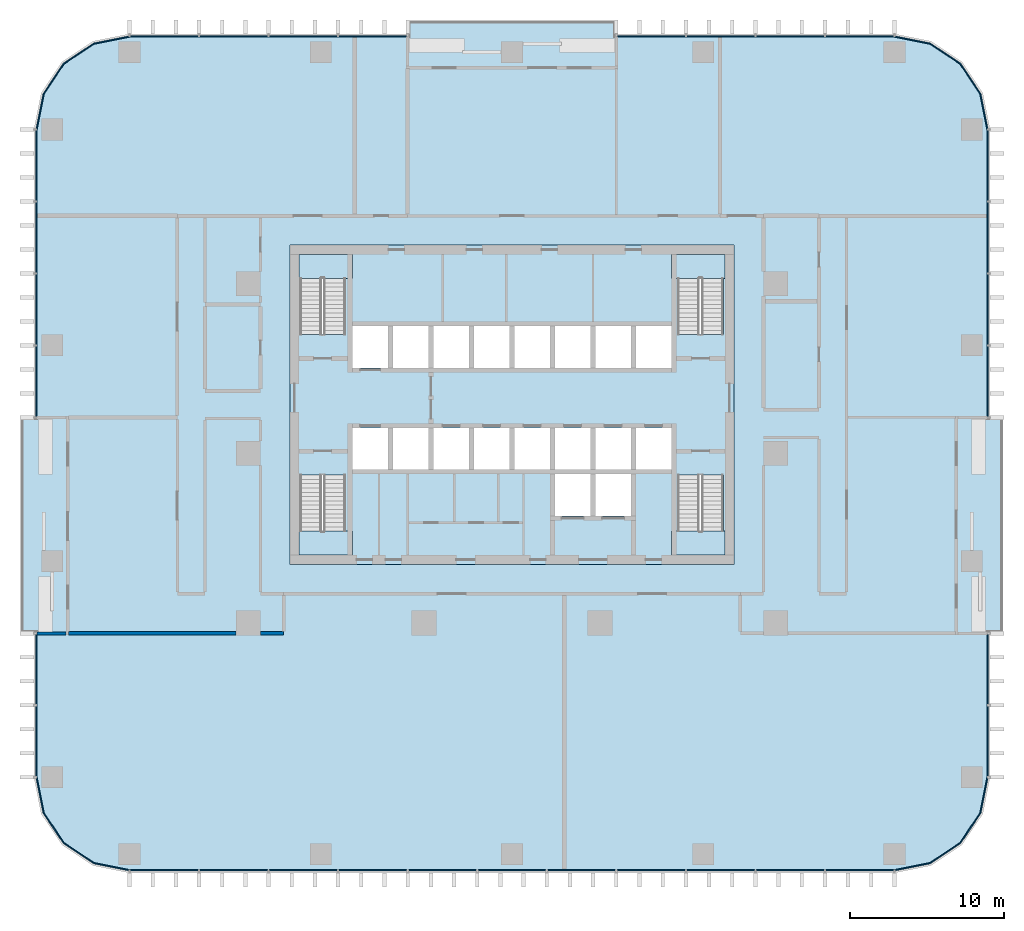
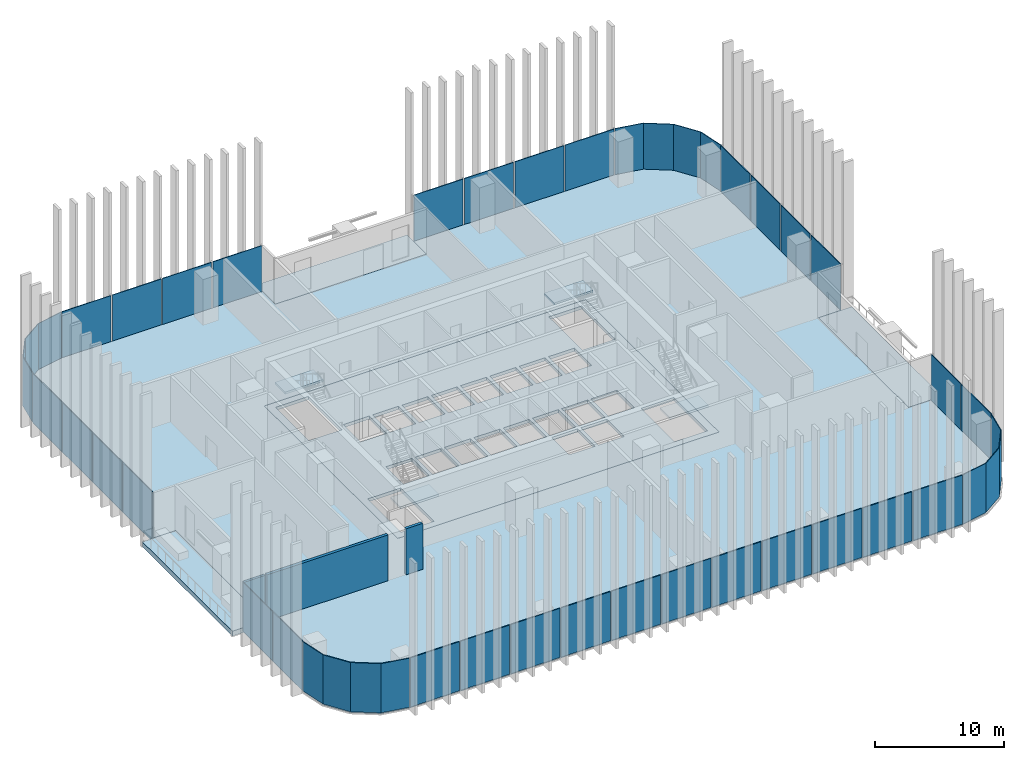
# One storey, part 6 of 17: 35 plates, 9 slabs, 3 walls, 15 elements without a shape of their own.
"""IFC4 building model written with IfcOpenShell, lengths in metres."""

from ifc_helpers import new_model, si_unit, direction, frame, frame_2d, origin, origin_2d, place, context, subcontext, project, spatial, polyline, rectangle, outline, extrude, material, layer, layer_set, type_object, element, aggregate, save


model = new_model("IFC4")

# Units and contexts
model_context = context("Model", 3, precision=1e-05, world=origin(), true_north=direction((0.0, 1.0)))
body_context = subcontext(model_context, "Body", "Model", "MODEL_VIEW")
ifc_project = project(units=[si_unit("LENGTHUNIT", "METRE"), si_unit("AREAUNIT", "SQUARE_METRE"), si_unit("VOLUMEUNIT", "CUBIC_METRE"), si_unit("PLANEANGLEUNIT", "RADIAN"), si_unit("MASSUNIT", "GRAM", prefix="KILO")], contexts=[model_context])

# Site, building, storey
site_placement = place(None, origin())
site = spatial("IfcSite", under=ifc_project, at=site_placement, CompositionType="ELEMENT")
building_placement = place(site_placement, origin())
building = spatial("IfcBuilding", under=site, at=building_placement, Name="Mopane Tessera Tower", CompositionType="ELEMENT")
storey_placement = place(building_placement, frame((0.0, 0.0, 31.0)))
storey = spatial("IfcBuildingStorey", under=building, at=storey_placement, Name="L05", CompositionType="ELEMENT", Elevation=31.0)

# Slab
ifc_material_1 = material(Name="Concrete C40/50", Category="concrete")
ifc_layer_1 = layer(ifc_material_1, 0.300048828125)
ifc_layer_set_1 = layer_set([ifc_layer_1], Name="Concrete C40/50")
slab_type_1 = type_object("IfcSlabType", Name="Core floor slab 300 mm", PredefinedType="FLOOR", material=ifc_layer_set_1)
slab_1_placement = place(storey_placement, frame((0.0, 0.0, -0.300048828125)))
element("IfcSlab", 1, at=slab_1_placement, inside=storey, type_object=slab_type_1, Name="L05 core floor slab", PredefinedType="FLOOR", context=body_context, shape_type="SweptSolid", body=[
    extrude(outline(polyline([(-14.39990234375, -7.199951171875), (14.39990234375, -7.199951171875), (14.39990234375, 13.5), (-14.39990234375, 13.5), (-14.39990234375, -7.199951171875)]), holes=[polyline([(-10.35009765625, -1.050048828125), (-8.02490234375, -1.050048828125), (-8.02490234375, 1.64990234375), (-10.35009765625, 1.64990234375), (-10.35009765625, -1.050048828125)]), polyline([(-7.72509765625, -1.050048828125), (-5.39990234375, -1.050048828125), (-5.39990234375, 1.64990234375), (-7.72509765625, 1.64990234375), (-7.72509765625, -1.050048828125)]), polyline([(-5.10009765625, -1.050048828125), (-2.77490234375, -1.050048828125), (-2.77490234375, 1.64990234375), (-5.10009765625, 1.64990234375), (-5.10009765625, -1.050048828125)]), polyline([(-2.47509765625, -1.050048828125), (-0.14990234375, -1.050048828125), (-0.14990234375, 1.64990234375), (-2.47509765625, 1.64990234375), (-2.47509765625, -1.050048828125)]), polyline([(0.14990234375, -1.050048828125), (2.47509765625, -1.050048828125), (2.47509765625, 1.64990234375), (0.14990234375, 1.64990234375), (0.14990234375, -1.050048828125)]), polyline([(2.77490234375, -1.050048828125), (5.10009765625, -1.050048828125), (5.10009765625, 1.64990234375), (2.77490234375, 1.64990234375), (2.77490234375, -1.050048828125)]), polyline([(5.39990234375, -1.050048828125), (7.72509765625, -1.050048828125), (7.72509765625, 1.64990234375), (5.39990234375, 1.64990234375), (5.39990234375, -1.050048828125)]), polyline([(8.02490234375, -1.050048828125), (10.35009765625, -1.050048828125), (10.35009765625, 1.64990234375), (8.02490234375, 1.64990234375), (8.02490234375, -1.050048828125)]), polyline([(-10.35009765625, 5.550048828125), (-8.02490234375, 5.550048828125), (-8.02490234375, 8.25), (-10.35009765625, 8.25), (-10.35009765625, 5.550048828125)]), polyline([(-7.72509765625, 5.550048828125), (-5.39990234375, 5.550048828125), (-5.39990234375, 8.25), (-7.72509765625, 8.25), (-7.72509765625, 5.550048828125)]), polyline([(-5.10009765625, 5.550048828125), (-2.77490234375, 5.550048828125), (-2.77490234375, 8.25), (-5.10009765625, 8.25), (-5.10009765625, 5.550048828125)]), polyline([(-2.47509765625, 5.550048828125), (-0.14990234375, 5.550048828125), (-0.14990234375, 8.25), (-2.47509765625, 8.25), (-2.47509765625, 5.550048828125)]), polyline([(0.14990234375, 5.550048828125), (2.47509765625, 5.550048828125), (2.47509765625, 8.25), (0.14990234375, 8.25), (0.14990234375, 5.550048828125)]), polyline([(2.77490234375, 5.550048828125), (5.10009765625, 5.550048828125), (5.10009765625, 8.25), (2.77490234375, 8.25), (2.77490234375, 5.550048828125)]), polyline([(5.39990234375, 5.550048828125), (7.72509765625, 5.550048828125), (7.72509765625, 8.25), (5.39990234375, 8.25), (5.39990234375, 5.550048828125)]), polyline([(8.02490234375, 5.550048828125), (10.35009765625, 5.550048828125), (10.35009765625, 8.25), (8.02490234375, 8.25), (8.02490234375, 5.550048828125)]), polyline([(2.77490234375, -4.050048828125), (5.10009765625, -4.050048828125), (5.10009765625, -1.35009765625), (2.77490234375, -1.35009765625), (2.77490234375, -4.050048828125)]), polyline([(5.39990234375, -4.050048828125), (7.72509765625, -4.050048828125), (7.72509765625, -1.35009765625), (5.39990234375, -1.35009765625), (5.39990234375, -4.050048828125)]), polyline([(-13.75, -1.405029296875), (-13.75, -6.60009765625), (-10.800048828125, -6.60009765625), (-10.800048828125, -1.405029296875), (-13.75, -1.405029296875)]), polyline([(-10.800048828125, 7.705078125), (-10.800048828125, 12.89990234375), (-13.75, 12.89990234375), (-13.75, 7.705078125), (-10.800048828125, 7.705078125)]), polyline([(10.75, -1.405029296875), (10.75, -6.60009765625), (13.699951171875, -6.60009765625), (13.699951171875, -1.405029296875), (10.75, -1.405029296875)]), polyline([(13.699951171875, 7.705078125), (13.699951171875, 12.89990234375), (10.75, 12.89990234375), (10.75, 7.705078125), (13.699951171875, 7.705078125)])]), origin(), (0.0, 0.0, 1.0), 0.300048828125),
])

# Stair, slab
ifc_material_2 = material(Name="Concrete C50/60", Category="concrete")
stair_type = type_object("IfcStairType", Name="Escape stair 1400 mm, riser 171 mm", PredefinedType="HALF_TURN_STAIR", material=ifc_material_2)
stair_1_placement = place(storey_placement, origin())
stair_1 = element("IfcStair", 2, at=stair_1_placement, inside=storey, type_object=stair_type, Name="L05 Escape stair south-west", PredefinedType="HALF_TURN_STAIR")
ifc_material_3 = material(Name="Concrete C50/60", Category="concrete")
ifc_layer_2 = layer(ifc_material_3, 0.199951171875)
ifc_layer_set_2 = layer_set([ifc_layer_2], Name="Concrete C50/60")
slab_type_2 = type_object("IfcSlabType", Name="Escape stair landing 200 mm", PredefinedType="LANDING", material=ifc_layer_set_2)
slab_2_placement = place(storey_placement, frame((0.0, 0.0, 2.199951171875)))
slab_2 = element("IfcSlab", 3, at=slab_2_placement, type_object=slab_type_2, Name="ST1 landing 1", PredefinedType="LANDING", context=body_context, shape_type="SweptSolid", body=[
    extrude(outline(polyline([(-13.800048828125, -5.0400390625), (-13.800048828125, -6.60009765625), (-10.35009765625, -6.60009765625), (-10.35009765625, -5.0400390625), (-13.800048828125, -5.0400390625)])), origin(), (0.0, 0.0, 1.0), 0.199951171875),
])
aggregate(stair_1, [slab_2])

stair_2_placement = place(storey_placement, origin())
stair_2 = element("IfcStair", 4, at=stair_2_placement, inside=storey, type_object=stair_type, Name="L05 Escape stair north-west", PredefinedType="HALF_TURN_STAIR")
slab_3_placement = place(storey_placement, frame((0.0, 0.0, 2.199951171875)))
slab_3 = element("IfcSlab", 5, at=slab_3_placement, type_object=slab_type_2, Name="ST2 landing 1", PredefinedType="LANDING", context=body_context, shape_type="SweptSolid", body=[
    extrude(outline(polyline([(-10.35009765625, 11.340087890625), (-10.35009765625, 12.89990234375), (-13.800048828125, 12.89990234375), (-13.800048828125, 11.340087890625), (-10.35009765625, 11.340087890625)])), origin(), (0.0, 0.0, 1.0), 0.199951171875),
])
aggregate(stair_2, [slab_3])

stair_3_placement = place(storey_placement, origin())
stair_3 = element("IfcStair", 6, at=stair_3_placement, inside=storey, type_object=stair_type, Name="L05 Escape stair south-east", PredefinedType="HALF_TURN_STAIR")
slab_4_placement = place(storey_placement, frame((0.0, 0.0, 2.199951171875)))
slab_4 = element("IfcSlab", 7, at=slab_4_placement, type_object=slab_type_2, Name="ST3 landing 1", PredefinedType="LANDING", context=body_context, shape_type="SweptSolid", body=[
    extrude(outline(polyline([(10.35009765625, -5.0400390625), (10.35009765625, -6.60009765625), (13.800048828125, -6.60009765625), (13.800048828125, -5.0400390625), (10.35009765625, -5.0400390625)])), origin(), (0.0, 0.0, 1.0), 0.199951171875),
])
aggregate(stair_3, [slab_4])

stair_4_placement = place(storey_placement, origin())
stair_4 = element("IfcStair", 8, at=stair_4_placement, inside=storey, type_object=stair_type, Name="L05 Escape stair north-east", PredefinedType="HALF_TURN_STAIR")
slab_5_placement = place(storey_placement, frame((0.0, 0.0, 2.199951171875)))
slab_5 = element("IfcSlab", 9, at=slab_5_placement, type_object=slab_type_2, Name="ST4 landing 1", PredefinedType="LANDING", context=body_context, shape_type="SweptSolid", body=[
    extrude(outline(polyline([(13.800048828125, 11.340087890625), (13.800048828125, 12.89990234375), (10.35009765625, 12.89990234375), (10.35009765625, 11.340087890625), (13.800048828125, 11.340087890625)])), origin(), (0.0, 0.0, 1.0), 0.199951171875),
])
aggregate(stair_4, [slab_5])

# Curtain wall, plates
ifc_material_4 = material(Name="Aluminium frame", Category="aluminium")
curtain_wall_type = type_object("IfcCurtainWallType", Name="Lower tower unitised wall", PredefinedType="NOTDEFINED", material=ifc_material_4)
curtain_wall_1_placement = place(storey_placement, origin())
curtain_wall_1 = element("IfcCurtainWall", 10, at=curtain_wall_1_placement, inside=storey, type_object=curtain_wall_type, Name="e:cw:L05:S:0", PredefinedType="NOTDEFINED")
ifc_material_5 = material(Name="Clear laminated glass", Category="glass")
ifc_layer_3 = layer(ifc_material_5, 0.070068359375)
ifc_layer_set_3 = layer_set([ifc_layer_3], Name="Clear laminated glass")
plate_type = type_object("IfcPlateType", Name="Laminated glazed unit 70", PredefinedType="CURTAIN_PANEL", material=ifc_layer_set_3)
plate_1_placement = place(storey_placement, frame((-22.54541015625, -27.034912109375, -0.31005859375), z_axis=(0.0, 0.0, 1.0), x_axis=(1.0, 0.0, 0.0)))
plate_1 = element("IfcPlate", 11, at=plate_1_placement, type_object=plate_type, Name="e:cw:L05:S:0:pn0", PredefinedType="CURTAIN_PANEL", context=body_context, shape_type="SweptSolid", body=[
    extrude(rectangle(XDim=4.399169921875, YDim=0.070068359375, at=origin_2d()), origin(), (0.0, 0.0, 1.0), 4.659912109375),
])
plate_2_placement = place(storey_placement, frame((-18.036376953125, -27.034912109375, -0.31005859375), z_axis=(0.0, 0.0, 1.0), x_axis=(1.0, 0.0, 0.0)))
plate_2 = element("IfcPlate", 12, at=plate_2_placement, type_object=plate_type, Name="e:cw:L05:S:0:pn1", PredefinedType="CURTAIN_PANEL", context=body_context, shape_type="SweptSolid", body=[
    extrude(rectangle(XDim=4.399169921875, YDim=0.070068359375, at=origin_2d()), origin(), (0.0, 0.0, 1.0), 4.659912109375),
])
plate_3_placement = place(storey_placement, frame((-13.52734375, -27.034912109375, -0.31005859375), z_axis=(0.0, 0.0, 1.0), x_axis=(1.0, 0.0, 0.0)))
plate_3 = element("IfcPlate", 13, at=plate_3_placement, type_object=plate_type, Name="e:cw:L05:S:0:pn2", PredefinedType="CURTAIN_PANEL", context=body_context, shape_type="SweptSolid", body=[
    extrude(rectangle(XDim=4.399169921875, YDim=0.070068359375, at=origin_2d()), origin(), (0.0, 0.0, 1.0), 4.659912109375),
])
plate_4_placement = place(storey_placement, frame((-9.01806640625, -27.034912109375, -0.31005859375), z_axis=(0.0, 0.0, 1.0), x_axis=(1.0, 0.0, 0.0)))
plate_4 = element("IfcPlate", 14, at=plate_4_placement, type_object=plate_type, Name="e:cw:L05:S:0:pn3", PredefinedType="CURTAIN_PANEL", context=body_context, shape_type="SweptSolid", body=[
    extrude(rectangle(XDim=4.399169921875, YDim=0.070068359375, at=origin_2d()), origin(), (0.0, 0.0, 1.0), 4.659912109375),
])
plate_5_placement = place(storey_placement, frame((-4.509033203125, -27.034912109375, -0.31005859375), z_axis=(0.0, 0.0, 1.0), x_axis=(1.0, 0.0, 0.0)))
plate_5 = element("IfcPlate", 15, at=plate_5_placement, type_object=plate_type, Name="e:cw:L05:S:0:pn4", PredefinedType="CURTAIN_PANEL", context=body_context, shape_type="SweptSolid", body=[
    extrude(rectangle(XDim=4.399169921875, YDim=0.070068359375, at=origin_2d()), origin(), (0.0, 0.0, 1.0), 4.659912109375),
])
plate_6_placement = place(storey_placement, frame((0.0, -27.034912109375, -0.31005859375), z_axis=(0.0, 0.0, 1.0), x_axis=(1.0, 0.0, 0.0)))
plate_6 = element("IfcPlate", 16, at=plate_6_placement, type_object=plate_type, Name="e:cw:L05:S:0:pn5", PredefinedType="CURTAIN_PANEL", context=body_context, shape_type="SweptSolid", body=[
    extrude(rectangle(XDim=4.399169921875, YDim=0.070068359375, at=origin_2d()), origin(), (0.0, 0.0, 1.0), 4.659912109375),
])
plate_7_placement = place(storey_placement, frame((4.509033203125, -27.034912109375, -0.31005859375), z_axis=(0.0, 0.0, 1.0), x_axis=(1.0, 0.0, 0.0)))
plate_7 = element("IfcPlate", 17, at=plate_7_placement, type_object=plate_type, Name="e:cw:L05:S:0:pn6", PredefinedType="CURTAIN_PANEL", context=body_context, shape_type="SweptSolid", body=[
    extrude(rectangle(XDim=4.399169921875, YDim=0.070068359375, at=origin_2d()), origin(), (0.0, 0.0, 1.0), 4.659912109375),
])
plate_8_placement = place(storey_placement, frame((9.01806640625, -27.034912109375, -0.31005859375), z_axis=(0.0, 0.0, 1.0), x_axis=(1.0, 0.0, 0.0)))
plate_8 = element("IfcPlate", 18, at=plate_8_placement, type_object=plate_type, Name="e:cw:L05:S:0:pn7", PredefinedType="CURTAIN_PANEL", context=body_context, shape_type="SweptSolid", body=[
    extrude(rectangle(XDim=4.399169921875, YDim=0.070068359375, at=origin_2d()), origin(), (0.0, 0.0, 1.0), 4.659912109375),
])
plate_9_placement = place(storey_placement, frame((13.52734375, -27.034912109375, -0.31005859375), z_axis=(0.0, 0.0, 1.0), x_axis=(1.0, 0.0, 0.0)))
plate_9 = element("IfcPlate", 19, at=plate_9_placement, type_object=plate_type, Name="e:cw:L05:S:0:pn8", PredefinedType="CURTAIN_PANEL", context=body_context, shape_type="SweptSolid", body=[
    extrude(rectangle(XDim=4.399169921875, YDim=0.070068359375, at=origin_2d()), origin(), (0.0, 0.0, 1.0), 4.659912109375),
])
plate_10_placement = place(storey_placement, frame((18.036376953125, -27.034912109375, -0.31005859375), z_axis=(0.0, 0.0, 1.0), x_axis=(1.0, 0.0, 0.0)))
plate_10 = element("IfcPlate", 20, at=plate_10_placement, type_object=plate_type, Name="e:cw:L05:S:0:pn9", PredefinedType="CURTAIN_PANEL", context=body_context, shape_type="SweptSolid", body=[
    extrude(rectangle(XDim=4.399169921875, YDim=0.070068359375, at=origin_2d()), origin(), (0.0, 0.0, 1.0), 4.659912109375),
])
plate_11_placement = place(storey_placement, frame((22.54541015625, -27.034912109375, -0.31005859375), z_axis=(0.0, 0.0, 1.0), x_axis=(1.0, 0.0, 0.0)))
plate_11 = element("IfcPlate", 21, at=plate_11_placement, type_object=plate_type, Name="e:cw:L05:S:0:pn10", PredefinedType="CURTAIN_PANEL", context=body_context, shape_type="SweptSolid", body=[
    extrude(rectangle(XDim=4.399169921875, YDim=0.070068359375, at=origin_2d()), origin(), (0.0, 0.0, 1.0), 4.659912109375),
])
aggregate(curtain_wall_1, [plate_1, plate_2, plate_3, plate_4, plate_5, plate_6, plate_7, plate_8, plate_9, plate_10, plate_11])

# Curtain wall, plate
curtain_wall_2_placement = place(storey_placement, origin())
curtain_wall_2 = element("IfcCurtainWall", 22, at=curtain_wall_2_placement, inside=storey, type_object=curtain_wall_type, Name="e:cw:L05:CS", PredefinedType="NOTDEFINED")
plate_12_placement = place(storey_placement, frame((0.0, 0.0, -0.31005859375)))
plate_12 = element("IfcPlate", 23, at=plate_12_placement, type_object=plate_type, Name="e:cw:L05:CS:pn", PredefinedType="CURTAIN_PANEL", context=body_context, shape_type="SweptSolid", body=[
    extrude(outline(polyline([(24.800048828125, -27.0), (27.09619140625, -26.543212890625), (29.042724609375, -25.24267578125), (30.34326171875, -23.296142578125), (30.800048828125, -21.0), (30.8701171875, -21.0), (30.407958984375, -23.322998046875), (29.092041015625, -25.292236328125), (27.122802734375, -26.60791015625), (24.800048828125, -27.070068359375), (24.800048828125, -27.0)])), origin(), (0.0, 0.0, 1.0), 4.66015625),
])
aggregate(curtain_wall_2, [plate_12])

# Curtain wall, plates
curtain_wall_3_placement = place(storey_placement, origin())
curtain_wall_3 = element("IfcCurtainWall", 24, at=curtain_wall_3_placement, inside=storey, type_object=curtain_wall_type, Name="e:cw:L05:E:0", PredefinedType="NOTDEFINED")
plate_13_placement = place(storey_placement, frame((30.8349609375, -18.666748046875, -0.31005859375), z_axis=(0.0, 0.0, 1.0), x_axis=(0.0, 1.0, 0.0)))
plate_13 = element("IfcPlate", 25, at=plate_13_placement, type_object=plate_type, Name="e:cw:L05:E:0:pn0", PredefinedType="CURTAIN_PANEL", context=body_context, shape_type="SweptSolid", body=[
    extrude(rectangle(XDim=4.556640625, YDim=0.070068359375, at=origin_2d()), origin(), (0.0, 0.0, 1.0), 4.659912109375),
])
plate_14_placement = place(storey_placement, frame((30.8349609375, -14.0, -0.31005859375), z_axis=(0.0, 0.0, 1.0), x_axis=(0.0, 1.0, 0.0)))
plate_14 = element("IfcPlate", 26, at=plate_14_placement, type_object=plate_type, Name="e:cw:L05:E:0:pn1", PredefinedType="CURTAIN_PANEL", context=body_context, shape_type="SweptSolid", body=[
    extrude(rectangle(XDim=4.556640625, YDim=0.070068359375, at=origin_2d()), origin(), (0.0, 0.0, 1.0), 4.659912109375),
])
aggregate(curtain_wall_3, [plate_13, plate_14])

curtain_wall_4_placement = place(storey_placement, origin())
curtain_wall_4 = element("IfcCurtainWall", 27, at=curtain_wall_4_placement, inside=storey, type_object=curtain_wall_type, Name="e:cw:L05:E:5", PredefinedType="NOTDEFINED")
plate_15_placement = place(storey_placement, frame((30.8349609375, 4.666748046875, -0.31005859375), z_axis=(0.0, 0.0, 1.0), x_axis=(0.0, 1.0, 0.0)))
plate_15 = element("IfcPlate", 28, at=plate_15_placement, type_object=plate_type, Name="e:cw:L05:E:5:pn5", PredefinedType="CURTAIN_PANEL", context=body_context, shape_type="SweptSolid", body=[
    extrude(rectangle(XDim=4.556640625, YDim=0.070068359375, at=origin_2d()), origin(), (0.0, 0.0, 1.0), 4.659912109375),
])
plate_16_placement = place(storey_placement, frame((30.8349609375, 9.333251953125, -0.31005859375), z_axis=(0.0, 0.0, 1.0), x_axis=(0.0, 1.0, 0.0)))
plate_16 = element("IfcPlate", 29, at=plate_16_placement, type_object=plate_type, Name="e:cw:L05:E:5:pn6", PredefinedType="CURTAIN_PANEL", context=body_context, shape_type="SweptSolid", body=[
    extrude(rectangle(XDim=4.556640625, YDim=0.070068359375, at=origin_2d()), origin(), (0.0, 0.0, 1.0), 4.659912109375),
])
plate_17_placement = place(storey_placement, frame((30.8349609375, 14.0, -0.31005859375), z_axis=(0.0, 0.0, 1.0), x_axis=(0.0, 1.0, 0.0)))
plate_17 = element("IfcPlate", 30, at=plate_17_placement, type_object=plate_type, Name="e:cw:L05:E:5:pn7", PredefinedType="CURTAIN_PANEL", context=body_context, shape_type="SweptSolid", body=[
    extrude(rectangle(XDim=4.556640625, YDim=0.070068359375, at=origin_2d()), origin(), (0.0, 0.0, 1.0), 4.659912109375),
])
plate_18_placement = place(storey_placement, frame((30.8349609375, 18.666748046875, -0.31005859375), z_axis=(0.0, 0.0, 1.0), x_axis=(0.0, 1.0, 0.0)))
plate_18 = element("IfcPlate", 31, at=plate_18_placement, type_object=plate_type, Name="e:cw:L05:E:5:pn8", PredefinedType="CURTAIN_PANEL", context=body_context, shape_type="SweptSolid", body=[
    extrude(rectangle(XDim=4.556640625, YDim=0.070068359375, at=origin_2d()), origin(), (0.0, 0.0, 1.0), 4.659912109375),
])
aggregate(curtain_wall_4, [plate_15, plate_16, plate_17, plate_18])

# Curtain wall, plate
curtain_wall_5_placement = place(storey_placement, origin())
curtain_wall_5 = element("IfcCurtainWall", 32, at=curtain_wall_5_placement, inside=storey, type_object=curtain_wall_type, Name="e:cw:L05:CE", PredefinedType="NOTDEFINED")
plate_19_placement = place(storey_placement, frame((0.0, 0.0, -0.31005859375)))
plate_19 = element("IfcPlate", 33, at=plate_19_placement, type_object=plate_type, Name="e:cw:L05:CE:pn", PredefinedType="CURTAIN_PANEL", context=body_context, shape_type="SweptSolid", body=[
    extrude(outline(polyline([(30.800048828125, 21.0), (30.34326171875, 23.296142578125), (29.042724609375, 25.24267578125), (27.09619140625, 26.543212890625), (24.800048828125, 27.0), (24.800048828125, 27.070068359375), (27.122802734375, 26.60791015625), (29.092041015625, 25.292236328125), (30.407958984375, 23.322998046875), (30.8701171875, 21.0), (30.800048828125, 21.0)])), origin(), (0.0, 0.0, 1.0), 4.66015625),
])
aggregate(curtain_wall_5, [plate_19])

# Curtain wall, plates
curtain_wall_6_placement = place(storey_placement, origin())
curtain_wall_6 = element("IfcCurtainWall", 34, at=curtain_wall_6_placement, inside=storey, type_object=curtain_wall_type, Name="e:cw:L05:N:0", PredefinedType="NOTDEFINED")
plate_20_placement = place(storey_placement, frame((22.54541015625, 27.034912109375, -0.31005859375), z_axis=(0.0, 0.0, 1.0), x_axis=(-1.0, 0.0, 0.0)))
plate_20 = element("IfcPlate", 35, at=plate_20_placement, type_object=plate_type, Name="e:cw:L05:N:0:pn0", PredefinedType="CURTAIN_PANEL", context=body_context, shape_type="SweptSolid", body=[
    extrude(rectangle(XDim=4.399169921875, YDim=0.070068359375, at=origin_2d()), origin(), (0.0, 0.0, 1.0), 4.659912109375),
])
plate_21_placement = place(storey_placement, frame((18.036376953125, 27.034912109375, -0.31005859375), z_axis=(0.0, 0.0, 1.0), x_axis=(-1.0, 0.0, 0.0)))
plate_21 = element("IfcPlate", 36, at=plate_21_placement, type_object=plate_type, Name="e:cw:L05:N:0:pn1", PredefinedType="CURTAIN_PANEL", context=body_context, shape_type="SweptSolid", body=[
    extrude(rectangle(XDim=4.399169921875, YDim=0.070068359375, at=origin_2d()), origin(), (0.0, 0.0, 1.0), 4.659912109375),
])
plate_22_placement = place(storey_placement, frame((13.52734375, 27.034912109375, -0.31005859375), z_axis=(0.0, 0.0, 1.0), x_axis=(-1.0, 0.0, 0.0)))
plate_22 = element("IfcPlate", 37, at=plate_22_placement, type_object=plate_type, Name="e:cw:L05:N:0:pn2", PredefinedType="CURTAIN_PANEL", context=body_context, shape_type="SweptSolid", body=[
    extrude(rectangle(XDim=4.399169921875, YDim=0.070068359375, at=origin_2d()), origin(), (0.0, 0.0, 1.0), 4.659912109375),
])
plate_23_placement = place(storey_placement, frame((9.01806640625, 27.034912109375, -0.31005859375), z_axis=(0.0, 0.0, 1.0), x_axis=(-1.0, 0.0, 0.0)))
plate_23 = element("IfcPlate", 38, at=plate_23_placement, type_object=plate_type, Name="e:cw:L05:N:0:pn3", PredefinedType="CURTAIN_PANEL", context=body_context, shape_type="SweptSolid", body=[
    extrude(rectangle(XDim=4.399169921875, YDim=0.070068359375, at=origin_2d()), origin(), (0.0, 0.0, 1.0), 4.659912109375),
])
aggregate(curtain_wall_6, [plate_20, plate_21, plate_22, plate_23])

curtain_wall_7_placement = place(storey_placement, origin())
curtain_wall_7 = element("IfcCurtainWall", 39, at=curtain_wall_7_placement, inside=storey, type_object=curtain_wall_type, Name="e:cw:L05:N:7", PredefinedType="NOTDEFINED")
plate_24_placement = place(storey_placement, frame((-9.01806640625, 27.034912109375, -0.31005859375), z_axis=(0.0, 0.0, 1.0), x_axis=(-1.0, 0.0, 0.0)))
plate_24 = element("IfcPlate", 40, at=plate_24_placement, type_object=plate_type, Name="e:cw:L05:N:7:pn7", PredefinedType="CURTAIN_PANEL", context=body_context, shape_type="SweptSolid", body=[
    extrude(rectangle(XDim=4.399169921875, YDim=0.070068359375, at=origin_2d()), origin(), (0.0, 0.0, 1.0), 4.659912109375),
])
plate_25_placement = place(storey_placement, frame((-13.52734375, 27.034912109375, -0.31005859375), z_axis=(0.0, 0.0, 1.0), x_axis=(-1.0, 0.0, 0.0)))
plate_25 = element("IfcPlate", 41, at=plate_25_placement, type_object=plate_type, Name="e:cw:L05:N:7:pn8", PredefinedType="CURTAIN_PANEL", context=body_context, shape_type="SweptSolid", body=[
    extrude(rectangle(XDim=4.399169921875, YDim=0.070068359375, at=origin_2d()), origin(), (0.0, 0.0, 1.0), 4.659912109375),
])
plate_26_placement = place(storey_placement, frame((-18.036376953125, 27.034912109375, -0.31005859375), z_axis=(0.0, 0.0, 1.0), x_axis=(-1.0, 0.0, 0.0)))
plate_26 = element("IfcPlate", 42, at=plate_26_placement, type_object=plate_type, Name="e:cw:L05:N:7:pn9", PredefinedType="CURTAIN_PANEL", context=body_context, shape_type="SweptSolid", body=[
    extrude(rectangle(XDim=4.399169921875, YDim=0.070068359375, at=origin_2d()), origin(), (0.0, 0.0, 1.0), 4.659912109375),
])
plate_27_placement = place(storey_placement, frame((-22.54541015625, 27.034912109375, -0.31005859375), z_axis=(0.0, 0.0, 1.0), x_axis=(-1.0, 0.0, 0.0)))
plate_27 = element("IfcPlate", 43, at=plate_27_placement, type_object=plate_type, Name="e:cw:L05:N:7:pn10", PredefinedType="CURTAIN_PANEL", context=body_context, shape_type="SweptSolid", body=[
    extrude(rectangle(XDim=4.399169921875, YDim=0.070068359375, at=origin_2d()), origin(), (0.0, 0.0, 1.0), 4.659912109375),
])
aggregate(curtain_wall_7, [plate_24, plate_25, plate_26, plate_27])

# Curtain wall, plate
curtain_wall_8_placement = place(storey_placement, origin())
curtain_wall_8 = element("IfcCurtainWall", 44, at=curtain_wall_8_placement, inside=storey, type_object=curtain_wall_type, Name="e:cw:L05:CN", PredefinedType="NOTDEFINED")
plate_28_placement = place(storey_placement, frame((0.0, 0.0, -0.31005859375)))
plate_28 = element("IfcPlate", 45, at=plate_28_placement, type_object=plate_type, Name="e:cw:L05:CN:pn", PredefinedType="CURTAIN_PANEL", context=body_context, shape_type="SweptSolid", body=[
    extrude(outline(polyline([(-24.800048828125, 27.0), (-27.09619140625, 26.543212890625), (-29.042724609375, 25.24267578125), (-30.34326171875, 23.296142578125), (-30.800048828125, 21.0), (-30.8701171875, 21.0), (-30.407958984375, 23.322998046875), (-29.092041015625, 25.292236328125), (-27.122802734375, 26.60791015625), (-24.800048828125, 27.070068359375), (-24.800048828125, 27.0)])), origin(), (0.0, 0.0, 1.0), 4.66015625),
])
aggregate(curtain_wall_8, [plate_28])

# Curtain wall, plates
curtain_wall_9_placement = place(storey_placement, origin())
curtain_wall_9 = element("IfcCurtainWall", 46, at=curtain_wall_9_placement, inside=storey, type_object=curtain_wall_type, Name="e:cw:L05:W:0", PredefinedType="NOTDEFINED")
plate_29_placement = place(storey_placement, frame((-30.8349609375, 18.666748046875, -0.31005859375), z_axis=(0.0, 0.0, 1.0), x_axis=(0.0, -1.0, 0.0)))
plate_29 = element("IfcPlate", 47, at=plate_29_placement, type_object=plate_type, Name="e:cw:L05:W:0:pn0", PredefinedType="CURTAIN_PANEL", context=body_context, shape_type="SweptSolid", body=[
    extrude(rectangle(XDim=4.556640625, YDim=0.070068359375, at=origin_2d()), origin(), (0.0, 0.0, 1.0), 4.659912109375),
])
plate_30_placement = place(storey_placement, frame((-30.8349609375, 14.0, -0.31005859375), z_axis=(0.0, 0.0, 1.0), x_axis=(0.0, -1.0, 0.0)))
plate_30 = element("IfcPlate", 48, at=plate_30_placement, type_object=plate_type, Name="e:cw:L05:W:0:pn1", PredefinedType="CURTAIN_PANEL", context=body_context, shape_type="SweptSolid", body=[
    extrude(rectangle(XDim=4.556640625, YDim=0.070068359375, at=origin_2d()), origin(), (0.0, 0.0, 1.0), 4.659912109375),
])
plate_31_placement = place(storey_placement, frame((-30.8349609375, 9.333251953125, -0.31005859375), z_axis=(0.0, 0.0, 1.0), x_axis=(0.0, -1.0, 0.0)))
plate_31 = element("IfcPlate", 49, at=plate_31_placement, type_object=plate_type, Name="e:cw:L05:W:0:pn2", PredefinedType="CURTAIN_PANEL", context=body_context, shape_type="SweptSolid", body=[
    extrude(rectangle(XDim=4.556640625, YDim=0.070068359375, at=origin_2d()), origin(), (0.0, 0.0, 1.0), 4.659912109375),
])
plate_32_placement = place(storey_placement, frame((-30.8349609375, 4.666748046875, -0.31005859375), z_axis=(0.0, 0.0, 1.0), x_axis=(0.0, -1.0, 0.0)))
plate_32 = element("IfcPlate", 50, at=plate_32_placement, type_object=plate_type, Name="e:cw:L05:W:0:pn3", PredefinedType="CURTAIN_PANEL", context=body_context, shape_type="SweptSolid", body=[
    extrude(rectangle(XDim=4.556640625, YDim=0.070068359375, at=origin_2d()), origin(), (0.0, 0.0, 1.0), 4.659912109375),
])
aggregate(curtain_wall_9, [plate_29, plate_30, plate_31, plate_32])

curtain_wall_10_placement = place(storey_placement, origin())
curtain_wall_10 = element("IfcCurtainWall", 51, at=curtain_wall_10_placement, inside=storey, type_object=curtain_wall_type, Name="e:cw:L05:W:7", PredefinedType="NOTDEFINED")
plate_33_placement = place(storey_placement, frame((-30.8349609375, -14.0, -0.31005859375), z_axis=(0.0, 0.0, 1.0), x_axis=(0.0, -1.0, 0.0)))
plate_33 = element("IfcPlate", 52, at=plate_33_placement, type_object=plate_type, Name="e:cw:L05:W:7:pn7", PredefinedType="CURTAIN_PANEL", context=body_context, shape_type="SweptSolid", body=[
    extrude(rectangle(XDim=4.556640625, YDim=0.070068359375, at=origin_2d()), origin(), (0.0, 0.0, 1.0), 4.659912109375),
])
plate_34_placement = place(storey_placement, frame((-30.8349609375, -18.666748046875, -0.31005859375), z_axis=(0.0, 0.0, 1.0), x_axis=(0.0, -1.0, 0.0)))
plate_34 = element("IfcPlate", 53, at=plate_34_placement, type_object=plate_type, Name="e:cw:L05:W:7:pn8", PredefinedType="CURTAIN_PANEL", context=body_context, shape_type="SweptSolid", body=[
    extrude(rectangle(XDim=4.556640625, YDim=0.070068359375, at=origin_2d()), origin(), (0.0, 0.0, 1.0), 4.659912109375),
])
aggregate(curtain_wall_10, [plate_33, plate_34])

# Curtain wall, plate
curtain_wall_11_placement = place(storey_placement, origin())
curtain_wall_11 = element("IfcCurtainWall", 54, at=curtain_wall_11_placement, inside=storey, type_object=curtain_wall_type, Name="e:cw:L05:CW", PredefinedType="NOTDEFINED")
plate_35_placement = place(storey_placement, frame((0.0, 0.0, -0.31005859375)))
plate_35 = element("IfcPlate", 55, at=plate_35_placement, type_object=plate_type, Name="e:cw:L05:CW:pn", PredefinedType="CURTAIN_PANEL", context=body_context, shape_type="SweptSolid", body=[
    extrude(outline(polyline([(-30.800048828125, -21.0), (-30.34326171875, -23.296142578125), (-29.042724609375, -25.24267578125), (-27.09619140625, -26.543212890625), (-24.800048828125, -27.0), (-24.800048828125, -27.070068359375), (-27.122802734375, -26.60791015625), (-29.092041015625, -25.292236328125), (-30.407958984375, -23.322998046875), (-30.8701171875, -21.0), (-30.800048828125, -21.0)])), origin(), (0.0, 0.0, 1.0), 4.66015625),
])
aggregate(curtain_wall_11, [plate_35])

# Slabs
ifc_material_6 = material(Name="Concrete C40/50", Category="concrete")
ifc_layer_4 = layer(ifc_material_6, 0.449951171875)
ifc_layer_set_4 = layer_set([ifc_layer_4], Name="Concrete C40/50")
slab_type_3 = type_object("IfcSlabType", Name="Planted terrace slab 450 mm", PredefinedType="FLOOR", material=ifc_layer_set_4)
slab_6_placement = place(storey_placement, frame((0.0, 0.0, -0.449951171875)))
element("IfcSlab", 56, at=slab_6_placement, inside=storey, type_object=slab_type_3, Name="Terrace slab N1 L05", PredefinedType="FLOOR", context=body_context, shape_type="SweptSolid", body=[
    extrude(outline(polyline([(31.800048828125, 2.333251953125), (28.800048828125, 2.333251953125), (28.800048828125, -11.666748046875), (31.800048828125, -11.666748046875), (31.800048828125, 2.333251953125)])), origin(), (0.0, 0.0, 1.0), 0.449951171875),
])
slab_7_placement = place(storey_placement, frame((0.0, 0.0, -0.449951171875)))
element("IfcSlab", 57, at=slab_7_placement, inside=storey, type_object=slab_type_3, Name="Terrace slab N2 L05", PredefinedType="FLOOR", context=body_context, shape_type="SweptSolid", body=[
    extrude(outline(polyline([(-6.763671875, 28.0), (-6.763671875, 25.0), (6.763671875, 25.0), (6.763671875, 28.0), (-6.763671875, 28.0)])), origin(), (0.0, 0.0, 1.0), 0.449951171875),
])
slab_8_placement = place(storey_placement, frame((0.0, 0.0, -0.449951171875)))
element("IfcSlab", 58, at=slab_8_placement, inside=storey, type_object=slab_type_3, Name="Terrace slab N3 L05", PredefinedType="FLOOR", context=body_context, shape_type="SweptSolid", body=[
    extrude(outline(polyline([(-31.800048828125, -11.666748046875), (-28.800048828125, -11.666748046875), (-28.800048828125, 2.333251953125), (-31.800048828125, 2.333251953125), (-31.800048828125, -11.666748046875)])), origin(), (0.0, 0.0, 1.0), 0.449951171875),
])
ifc_material_7 = material(Name="Concrete C40/50", Category="concrete")
ifc_layer_5 = layer(ifc_material_7, 0.449951171875)
ifc_layer_set_5 = layer_set([ifc_layer_5], Name="Concrete C40/50")
slab_type_4 = type_object("IfcSlabType", Name="Post-tensioned flat plate 450 mm", PredefinedType="FLOOR", material=ifc_layer_set_5)
slab_9_placement = place(storey_placement, frame((0.0, 0.0, -0.449951171875)))
element("IfcSlab", 59, at=slab_9_placement, inside=storey, type_object=slab_type_4, Name="Floor slab L05", PredefinedType="FLOOR", context=body_context, shape_type="SweptSolid", body=[
    extrude(outline(polyline([(30.800048828125, -21.0), (30.800048828125, -11.666748046875), (28.800048828125, -11.666748046875), (28.800048828125, 2.333251953125), (30.800048828125, 2.333251953125), (30.800048828125, 21.0), (30.34326171875, 23.296142578125), (29.042724609375, 25.24267578125), (27.09619140625, 26.543212890625), (24.800048828125, 27.0), (6.763671875, 27.0), (6.763671875, 25.0), (-6.763671875, 25.0), (-6.763671875, 27.0), (-24.800048828125, 27.0), (-27.09619140625, 26.543212890625), (-29.042724609375, 25.24267578125), (-30.34326171875, 23.296142578125), (-30.800048828125, 21.0), (-30.800048828125, 2.333251953125), (-28.800048828125, 2.333251953125), (-28.800048828125, -11.666748046875), (-30.800048828125, -11.666748046875), (-30.800048828125, -21.0), (-30.34326171875, -23.296142578125), (-29.042724609375, -25.24267578125), (-27.09619140625, -26.543212890625), (-24.800048828125, -27.0), (24.800048828125, -27.0), (27.09619140625, -26.543212890625), (29.042724609375, -25.24267578125), (30.34326171875, -23.296142578125), (30.800048828125, -21.0)]), holes=[polyline([(14.39990234375, -7.199951171875), (-14.39990234375, -7.199951171875), (-14.39990234375, 13.5), (14.39990234375, 13.5), (14.39990234375, -7.199951171875)])]), origin(), (0.0, 0.0, 1.0), 0.449951171875),
])

# Walls
ifc_material_8 = material(Name="Plastered concrete blockwork C20/25", Category="masonry")
ifc_layer_6 = layer(ifc_material_8, 0.25)
ifc_layer_set_6 = layer_set([ifc_layer_6], Name="Plastered concrete blockwork C20/25")
wall_type_1 = type_object("IfcWallType", Name="Plastered blockwork wall 250, rated EI 120", PredefinedType="PARTITIONING", material=ifc_layer_set_6)
wall_1_placement = place(storey_placement, frame((-28.75, -11.6650390625, 0.0), z_axis=(0.0, 0.0, 1.0), x_axis=(1.0, 0.0, 0.0)))
element("IfcWall", 60, at=wall_1_placement, inside=storey, type_object=wall_type_1, Name="Partition L05:000", PredefinedType="PARTITIONING", context=body_context, shape_type="SweptSolid", body=[
    extrude(rectangle(XDim=10.85009765625, YDim=0.25, at=frame_2d((5.425048828125, 0.0))), origin(), (0.0, 0.0, 1.0), 4.35009765625),
])
wall_2_placement = place(storey_placement, frame((-16.300048828125, -11.6650390625, 0.0), z_axis=(0.0, 0.0, 1.0), x_axis=(1.0, 0.0, 0.0)))
element("IfcWall", 61, at=wall_2_placement, inside=storey, type_object=wall_type_1, Name="Partition L05:001", PredefinedType="PARTITIONING", context=body_context, shape_type="SweptSolid", body=[
    extrude(rectangle(XDim=1.5, YDim=0.25, at=frame_2d((0.75, 0.0))), origin(), (0.0, 0.0, 1.0), 4.35009765625),
])
ifc_material_9 = material(Name="Blockwork with glazed tile facing", Category="masonry")
ifc_layer_7 = layer(ifc_material_9, 0.199951171875)
ifc_layer_set_7 = layer_set([ifc_layer_7], Name="Blockwork with glazed tile facing")
wall_type_2 = type_object("IfcWallType", Name="Terrace cheek wall 200", PredefinedType="STANDARD", material=ifc_layer_set_7)
wall_3_placement = place(storey_placement, frame((-30.800048828125, -11.666748046875, 0.0), z_axis=(0.0, 0.0, 1.0), x_axis=(1.0, 0.0, 0.0)))
element("IfcWall", 62, at=wall_3_placement, inside=storey, type_object=wall_type_2, Name="e:nw:L05:N3:cheekb", PredefinedType="STANDARD", context=body_context, shape_type="SweptSolid", body=[
    extrude(rectangle(XDim=1.875, YDim=0.199951171875, at=frame_2d((0.9375, 0.0))), origin(), (0.0, 0.0, 1.0), 4.35009765625),
])

save(model, "model.ifc")
